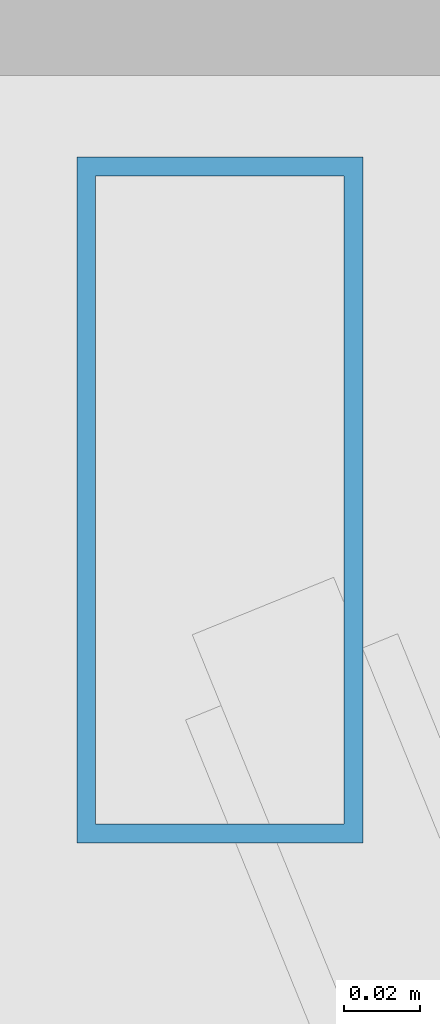
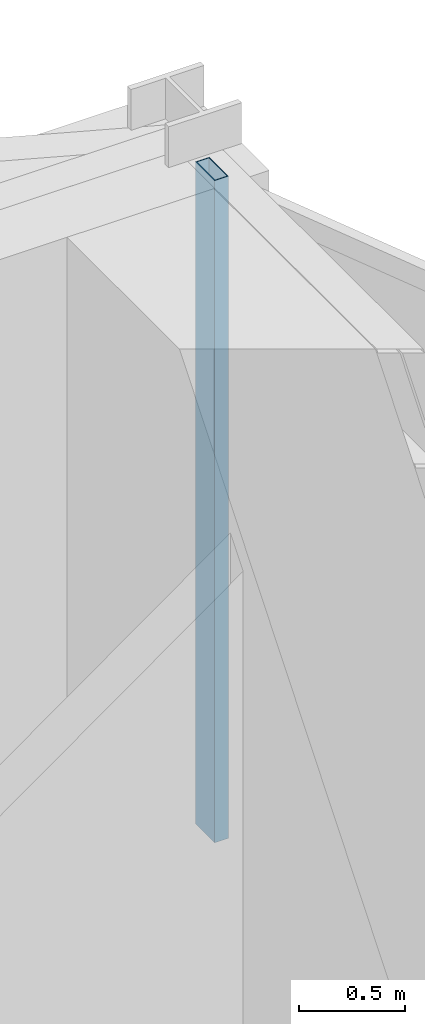
# One storey, part 17 of 25: 1 member, 1 element without a shape of its own.
"""IFC4 building model written with IfcOpenShell, lengths in metres."""

from ifc_helpers import new_model, si_unit, direction, frame, origin, origin_2d, place, context, subcontext, project, spatial, hollow_rectangle, extrude, material, layer, layer_set, material_profile, profile_set, type_object, element, aggregate, save


model = new_model("IFC4")

# Units and contexts
model_context = context("Model", 3, precision=1e-05, world=origin(), true_north=direction((0.0, 1.0)))
body_context = subcontext(model_context, "Body", "Model", "MODEL_VIEW")
ifc_project = project(units=[si_unit("LENGTHUNIT", "METRE"), si_unit("AREAUNIT", "SQUARE_METRE"), si_unit("VOLUMEUNIT", "CUBIC_METRE"), si_unit("PLANEANGLEUNIT", "RADIAN"), si_unit("MASSUNIT", "GRAM", prefix="KILO")], contexts=[model_context])

# Site, building, storey
site_placement = place(None, origin())
site = spatial("IfcSite", under=ifc_project, at=site_placement, CompositionType="ELEMENT")
building_placement = place(site_placement, origin())
building = spatial("IfcBuilding", under=site, at=building_placement, Name="Veymaron Broadcast Tower", CompositionType="ELEMENT")
storey_placement = place(building_placement, frame((0.0, 0.0, 137.10009765625)))
storey = spatial("IfcBuildingStorey", under=building, at=storey_placement, Name="L31", CompositionType="ELEMENT", Elevation=137.10009765625)

# Curtain wall, member
ifc_material_1 = material(Name="Anodised aluminium AA 6063-T6 and laminated low-E dark glass", Category="aluminium")
ifc_layer = layer(ifc_material_1, 0.179931640625)
ifc_layer_set = layer_set([ifc_layer], Name="Anodised aluminium AA 6063-T6 and laminated low-E dark glass")
curtain_wall_type = type_object("IfcCurtainWallType", Name="CW-SYS-03", PredefinedType="NOTDEFINED", material=ifc_layer_set)
curtain_wall_placement = place(storey_placement, origin())
curtain_wall = element("IfcCurtainWall", 1, at=curtain_wall_placement, inside=storey, type_object=curtain_wall_type, Name="L31 dark-glass curtain wall CW-L31-E3-1", PredefinedType="NOTDEFINED")
ifc_material_2 = material(Name="Anodised aluminium AA 6063-T6", Category="aluminium")
ifc_material_profile = material_profile(ifc_material_2, hollow_rectangle(XDim=0.074951171875, YDim=0.179931640625, WallThickness=0.0048828125, at=origin_2d()), Name="AL180X75X5")
ifc_profile_set = profile_set([ifc_material_profile], Name="Anodised aluminium AA 6063-T6")
member_type = type_object("IfcMemberType", Name="CW-MUL-02", PredefinedType="MULLION", material=ifc_profile_set)
member_placement = place(storey_placement, frame((54.572998046875, 31.695068359375, 0.0), z_axis=(0.0, 0.0, 1.0), x_axis=(1.0, 0.0, 0.0)))
member = element("IfcMember", 2, at=member_placement, type_object=member_type, Name="CW-L31-E3-1 mullion 2", PredefinedType="MULLION", context=body_context, shape_type="SweptSolid", body=[
    extrude(hollow_rectangle(XDim=0.074951171875, YDim=0.179931640625, WallThickness=0.0048828125, at=origin_2d()), origin(), (0.0, 0.0, 1.0), 3.809814453125),
])
aggregate(curtain_wall, [member])

save(model, "model.ifc")
